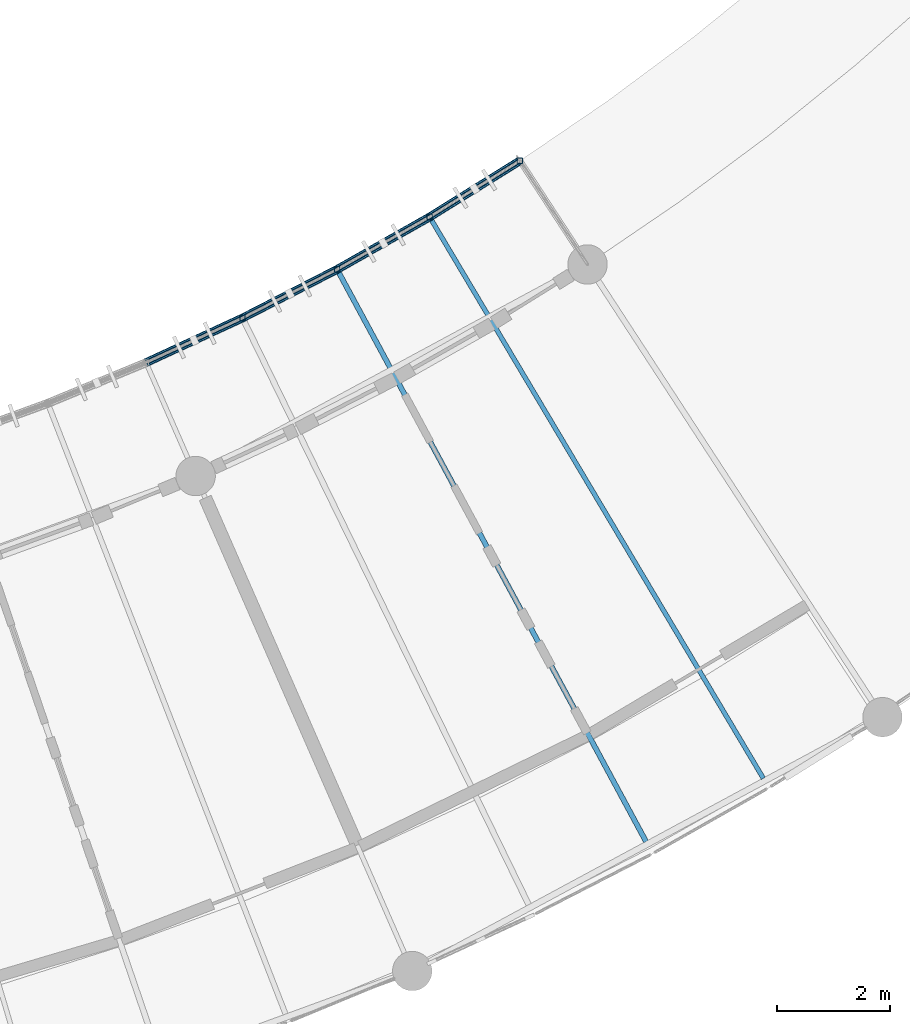
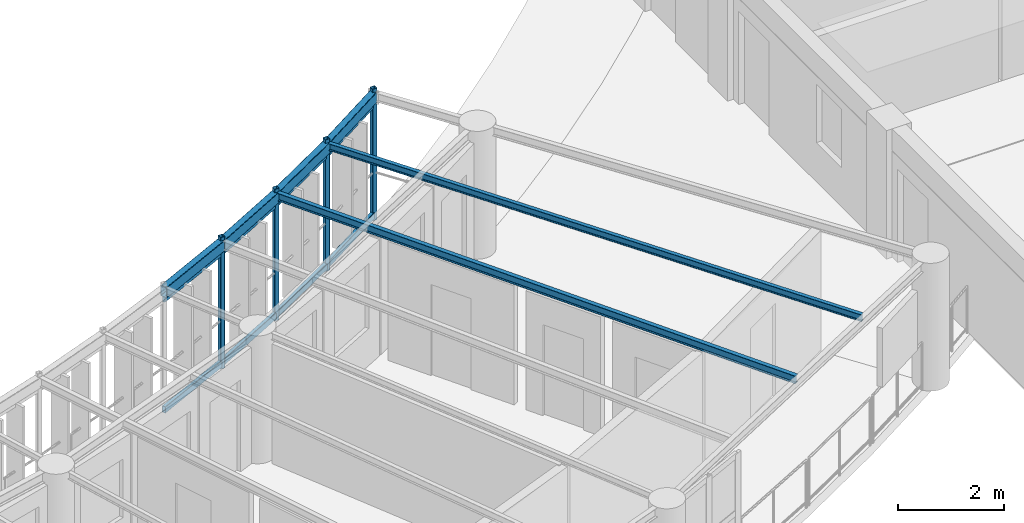
# One storey, part 20 of 100: 12 members, 6 beams.
"""IFC4 building model written with IfcOpenShell, lengths in metres."""

from ifc_helpers import new_model, si_unit, direction, frame, origin, origin_2d, place, context, subcontext, project, spatial, hollow_rectangle, i_section, extrude, material, material_profile, profile_set, type_object, element, save


model = new_model("IFC4")

# Units and contexts
model_context = context("Model", 3, precision=1e-05, world=origin(), true_north=direction((0.0, 1.0)))
body_context = subcontext(model_context, "Body", "Model", "MODEL_VIEW")
ifc_project = project(units=[si_unit("LENGTHUNIT", "METRE"), si_unit("AREAUNIT", "SQUARE_METRE"), si_unit("VOLUMEUNIT", "CUBIC_METRE"), si_unit("PLANEANGLEUNIT", "RADIAN"), si_unit("MASSUNIT", "GRAM", prefix="KILO"), si_unit("POWERUNIT", "WATT"), si_unit("THERMODYNAMICTEMPERATUREUNIT", "KELVIN")], contexts=[model_context])

# Site, building, storey
site_placement = place(None, origin())
site = spatial("IfcSite", under=ifc_project, at=site_placement, CompositionType="ELEMENT")
building_placement = place(site_placement, origin())
building = spatial("IfcBuilding", under=site, at=building_placement, Name="Ruvembo Vaulted Housing Court", CompositionType="ELEMENT")
storey_placement = place(building_placement, frame((0.0, 0.0, 10.89990234375)))
storey = spatial("IfcBuildingStorey", under=building, at=storey_placement, Name="L03", CompositionType="ELEMENT", Elevation=10.89990234375)

# Beams
ifc_material = material(Name="Steel S355J2", Category="steel")
ifc_material_profile_1 = material_profile(ifc_material, i_section(OverallWidth=0.08203125, OverallDepth=0.159912109375, WebThickness=0.0048828125, FlangeThickness=0.00732421875, FilletRadius=0.009033203125, at=origin_2d()), Name="IPE 160")
ifc_profile_set_1 = profile_set([ifc_material_profile_1], Name="Steel S355J2")
beam_type_1 = type_object("IfcBeamType", Name="BM-ST-IPE160", PredefinedType="JOIST", material=ifc_profile_set_1)
beam_1_placement = place(storey_placement, frame((98.330078125, 12.656005859375, 2.860107421875), z_axis=(-0.510954382563, 0.859607828571, 0.0), x_axis=(-0.859607828571, -0.510954382563, 0.0)))
element("IfcBeam", 1, at=beam_1_placement, inside=storey, type_object=beam_type_1, Name="Scoop SC2 L03 Radial Steel Joist 27", PredefinedType="JOIST", context=body_context, shape_type="SweptSolid", body=[
    extrude(i_section(OverallWidth=0.08203125, OverallDepth=0.159912109375, WebThickness=0.0048828125, FlangeThickness=0.00732421875, FilletRadius=0.009033203125, at=origin_2d()), origin(), (0.0, 0.0, 1.0), 11.642822265625),
])
ifc_material_profile_2 = material_profile(ifc_material, i_section(OverallWidth=0.091064453125, OverallDepth=0.179931640625, WebThickness=0.00537109375, FlangeThickness=0.008056640625, FilletRadius=0.009033203125, at=origin_2d()), Name="IPE 180")
ifc_profile_set_2 = profile_set([ifc_material_profile_2], Name="Steel S355J2")
beam_type_2 = type_object("IfcBeamType", Name="BM-ST-IPE180", PredefinedType="JOIST", material=ifc_profile_set_2)
beam_2_placement = place(storey_placement, frame((96.2470703125, 11.53125, 2.85009765625), z_axis=(-0.475075222071, 0.87994518771, 0.0), x_axis=(-0.87994518771, -0.475075222071, 0.0)))
element("IfcBeam", 2, at=beam_2_placement, inside=storey, type_object=beam_type_2, Name="Scoop SC2 L03 Radial Steel Joist 26", PredefinedType="JOIST", context=body_context, shape_type="SweptSolid", body=[
    extrude(i_section(OverallWidth=0.091064453125, OverallDepth=0.179931640625, WebThickness=0.00537109375, FlangeThickness=0.008056640625, FilletRadius=0.009033203125, at=origin_2d()), origin(), (0.0, 0.0, 1.0), 11.593994140625),
])
ifc_material_profile_3 = material_profile(ifc_material, hollow_rectangle(XDim=0.14990234375, YDim=0.25, WallThickness=0.010009765625, InnerFilletRadius=0.010009765625, OuterFilletRadius=0.02001953125, at=origin_2d()), Name="RHS 250x150x10")
ifc_profile_set_3 = profile_set([ifc_material_profile_3], Name="Steel S355J2")
beam_type_3 = type_object("IfcBeamType", Name="BM-ST-RHS250", PredefinedType="SPANDREL", material=ifc_profile_set_3)
for number, where, z_axis, x_axis, name in (
    (3, (87.362548828125, 20.042236328125, 2.815185546875), (0.907656578832, 0.419713634403, 0.0), (-0.419713634403, 0.907656578832, 0.0), "Scoop SC2 L03 Balcony Edge Spandrel 24"),
    (4, (89.077392578125, 20.835205078125, 2.815185546875), (0.889568437347, 0.45680192127, 0.0), (-0.45680192127, 0.889568437347, 0.0), "Scoop SC2 L03 Balcony Edge Spandrel 25"),
):
    element("IfcBeam", number, at=place(storey_placement, frame(where, z_axis=z_axis, x_axis=x_axis)), inside=storey, type_object=beam_type_3, Name=name, PredefinedType="SPANDREL", context=body_context, shape_type="SweptSolid", body=[
        extrude(hollow_rectangle(XDim=0.14990234375, YDim=0.25, WallThickness=0.010009765625, InnerFilletRadius=0.010009765625, OuterFilletRadius=0.02001953125, at=origin_2d()), origin(), (0.0, 0.0, 1.0), 1.889404296875),
    ])
for number, where, z_axis, x_axis, name in (
    (5, (90.758056640625, 21.6982421875, 2.815185546875), (0.869955662473, 0.493129947712, 0.0), (-0.493129947712, 0.869955662473, 0.0), "Scoop SC2 L03 Balcony Edge Spandrel 26"),
    (6, (92.401611328125, 22.6298828125, 2.815185546875), (0.848904567119, 0.52854615307, 0.0), (-0.52854615307, 0.848904567119, 0.0), "Scoop SC2 L03 Balcony Edge Spandrel 27"),
):
    element("IfcBeam", number, at=place(storey_placement, frame(where, z_axis=z_axis, x_axis=x_axis)), inside=storey, type_object=beam_type_3, Name=name, PredefinedType="SPANDREL", context=body_context, shape_type="SweptSolid", body=[
        extrude(hollow_rectangle(XDim=0.14990234375, YDim=0.25, WallThickness=0.010009765625, InnerFilletRadius=0.010009765625, OuterFilletRadius=0.02001953125, at=origin_2d()), origin(), (0.0, 0.0, 1.0), 1.88916015625),
    ])

# Members
ifc_material_profile_4 = material_profile(ifc_material, hollow_rectangle(XDim=0.06005859375, YDim=0.1201171875, WallThickness=0.0048828125, InnerFilletRadius=0.0048828125, OuterFilletRadius=0.010009765625, at=origin_2d()), Name="RHS 120x60x5")
ifc_profile_set_4 = profile_set([ifc_material_profile_4], Name="Steel S355J2")
member_type_1 = type_object("IfcMemberType", Name="MEM-CAR-RHS120", PredefinedType="CHORD", material=ifc_profile_set_4)
for number, where, z_axis, x_axis, name in (
    (7, (87.362548828125, 20.042236328125, 2.633056640625), (0.907656578832, 0.419713634403, 0.0), (-0.419713634403, 0.907656578832, 0.0), "Scoop SC2 L03 Upper Louvre Carrier Rail 24"),
    (8, (89.077392578125, 20.835205078125, 2.633056640625), (0.889568437347, 0.45680192127, 0.0), (-0.45680192127, 0.889568437347, 0.0), "Scoop SC2 L03 Upper Louvre Carrier Rail 25"),
):
    element("IfcMember", number, at=place(storey_placement, frame(where, z_axis=z_axis, x_axis=x_axis)), inside=storey, type_object=member_type_1, Name=name, PredefinedType="CHORD", context=body_context, shape_type="SweptSolid", body=[
        extrude(hollow_rectangle(XDim=0.06005859375, YDim=0.1201171875, WallThickness=0.0048828125, InnerFilletRadius=0.0048828125, OuterFilletRadius=0.010009765625, at=origin_2d()), origin(), (0.0, 0.0, 1.0), 1.889404296875),
    ])
for number, where, z_axis, x_axis, name in (
    (9, (90.758056640625, 21.6982421875, 2.633056640625), (0.869955662473, 0.493129947712, 0.0), (-0.493129947712, 0.869955662473, 0.0), "Scoop SC2 L03 Upper Louvre Carrier Rail 26"),
    (10, (92.401611328125, 22.6298828125, 2.633056640625), (0.848904567119, 0.52854615307, 0.0), (-0.52854615307, 0.848904567119, 0.0), "Scoop SC2 L03 Upper Louvre Carrier Rail 27"),
):
    element("IfcMember", number, at=place(storey_placement, frame(where, z_axis=z_axis, x_axis=x_axis)), inside=storey, type_object=member_type_1, Name=name, PredefinedType="CHORD", context=body_context, shape_type="SweptSolid", body=[
        extrude(hollow_rectangle(XDim=0.06005859375, YDim=0.1201171875, WallThickness=0.0048828125, InnerFilletRadius=0.0048828125, OuterFilletRadius=0.010009765625, at=origin_2d()), origin(), (0.0, 0.0, 1.0), 1.88916015625),
    ])
ifc_material_profile_5 = material_profile(ifc_material, hollow_rectangle(XDim=0.080078125, YDim=0.14990234375, WallThickness=0.00634765625, InnerFilletRadius=0.00634765625, OuterFilletRadius=0.0126953125, at=origin_2d()), Name="RHS 150x80x6.3")
ifc_profile_set_5 = profile_set([ifc_material_profile_5], Name="Steel S355J2")
member_type_2 = type_object("IfcMemberType", Name="MEM-CAR-RHS150", PredefinedType="CHORD", material=ifc_profile_set_5)
for number, where, z_axis, x_axis, name in (
    (11, (87.362548828125, 20.042236328125, 0.09521484375), (0.907656578832, 0.419713634403, 0.0), (-0.419713634403, 0.907656578832, 0.0), "Scoop SC2 L03 Lower Louvre Carrier Rail 24"),
    (12, (89.077392578125, 20.835205078125, 0.09521484375), (0.889568437347, 0.45680192127, 0.0), (-0.45680192127, 0.889568437347, 0.0), "Scoop SC2 L03 Lower Louvre Carrier Rail 25"),
):
    element("IfcMember", number, at=place(storey_placement, frame(where, z_axis=z_axis, x_axis=x_axis)), inside=storey, type_object=member_type_2, Name=name, PredefinedType="CHORD", context=body_context, shape_type="SweptSolid", body=[
        extrude(hollow_rectangle(XDim=0.080078125, YDim=0.14990234375, WallThickness=0.00634765625, InnerFilletRadius=0.00634765625, OuterFilletRadius=0.0126953125, at=origin_2d()), origin(), (0.0, 0.0, 1.0), 1.889404296875),
    ])
for number, where, z_axis, x_axis, name in (
    (13, (90.758056640625, 21.6982421875, 0.09521484375), (0.869955662473, 0.493129947712, 0.0), (-0.493129947712, 0.869955662473, 0.0), "Scoop SC2 L03 Lower Louvre Carrier Rail 26"),
    (14, (92.401611328125, 22.6298828125, 0.09521484375), (0.848904567119, 0.52854615307, 0.0), (-0.52854615307, 0.848904567119, 0.0), "Scoop SC2 L03 Lower Louvre Carrier Rail 27"),
):
    element("IfcMember", number, at=place(storey_placement, frame(where, z_axis=z_axis, x_axis=x_axis)), inside=storey, type_object=member_type_2, Name=name, PredefinedType="CHORD", context=body_context, shape_type="SweptSolid", body=[
        extrude(hollow_rectangle(XDim=0.080078125, YDim=0.14990234375, WallThickness=0.00634765625, InnerFilletRadius=0.00634765625, OuterFilletRadius=0.0126953125, at=origin_2d()), origin(), (0.0, 0.0, 1.0), 1.88916015625),
    ])
ifc_material_profile_6 = material_profile(ifc_material, hollow_rectangle(XDim=0.10009765625, YDim=0.10009765625, WallThickness=0.00634765625, InnerFilletRadius=0.00634765625, OuterFilletRadius=0.0126953125, at=origin_2d()), Name="SHS 100x100x6.3")
ifc_profile_set_6 = profile_set([ifc_material_profile_6], Name="Steel S355J2")
member_type_3 = type_object("IfcMemberType", Name="MEM-FRM-SHS100", PredefinedType="STRUT", material=ifc_profile_set_6)
for number, where, z_axis, x_axis, name in (
    (15, (89.077392578125, 20.835205078125, -0.014892578125), (0.0, 0.0, 1.0), (1.0, 0.0, 0.0), "Scoop SC2 L03 Louvre Frame Post 25"),
    (16, (90.758056640625, 21.6982421875, -0.014892578125), (0.0, 0.0, 1.0), (1.0, 0.0, 0.0), "Scoop SC2 L03 Louvre Frame Post 26"),
    (17, (92.401611328125, 22.6298828125, -0.014892578125), (0.0, 0.0, 1.0), (1.0, 0.0, 0.0), "Scoop SC2 L03 Louvre Frame Post 27"),
    (18, (94.00537109375, 23.62841796875, -0.014892578125), (0.0, 0.0, 1.0), (1.0, 0.0, 0.0), "Scoop SC2 L03 Louvre End Post"),
):
    element("IfcMember", number, at=place(storey_placement, frame(where, z_axis=z_axis, x_axis=x_axis)), inside=storey, type_object=member_type_3, Name=name, PredefinedType="STRUT", context=body_context, shape_type="SweptSolid", body=[
        extrude(hollow_rectangle(XDim=0.10009765625, YDim=0.10009765625, WallThickness=0.00634765625, InnerFilletRadius=0.00634765625, OuterFilletRadius=0.0126953125, at=origin_2d()), origin(), (0.0, 0.0, 1.0), 3.032958984375),
    ])

save(model, "model.ifc")
